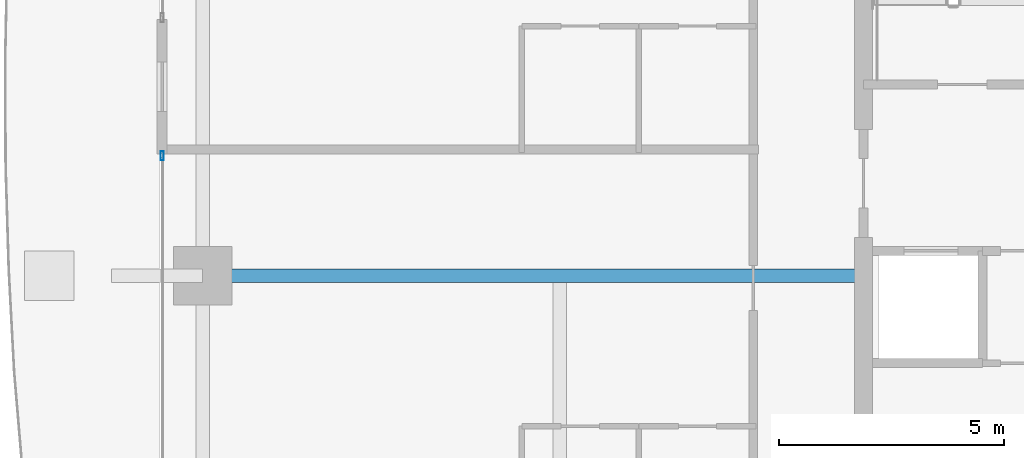
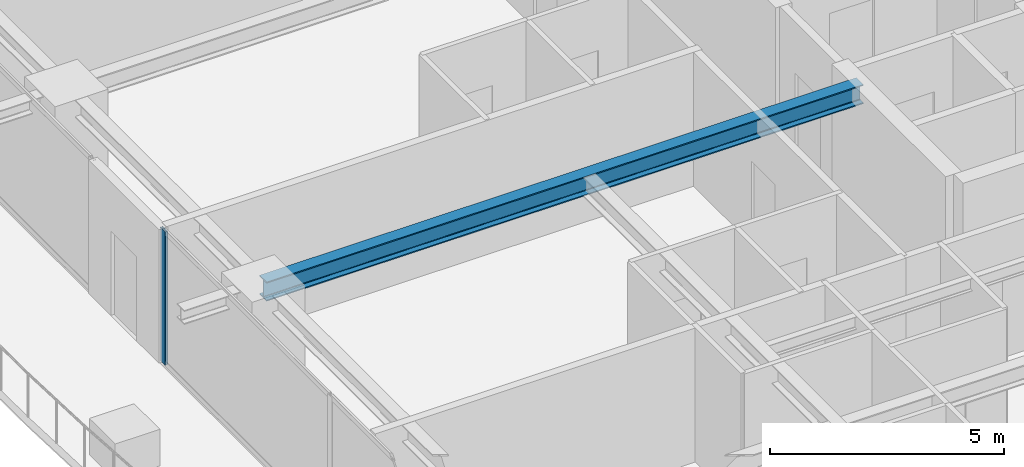
# One storey, part 8 of 35: 1 beam, 1 member, 1 element without a shape of its own.
"""IFC4 building model written with IfcOpenShell, lengths in metres."""

from ifc_helpers import new_model, si_unit, direction, frame, origin, origin_2d, place, context, subcontext, project, spatial, hollow_rectangle, i_section, extrude, source, transform, mapped, material, layer, layer_set, material_profile, profile_set, type_object, element, aggregate, save


model = new_model("IFC4")

# Units and contexts
model_context = context("Model", 3, precision=1e-05, world=origin(), true_north=direction((0.0, 1.0)))
body_context = subcontext(model_context, "Body", "Model", "MODEL_VIEW")
ifc_project = project(units=[si_unit("LENGTHUNIT", "METRE"), si_unit("AREAUNIT", "SQUARE_METRE"), si_unit("VOLUMEUNIT", "CUBIC_METRE"), si_unit("PLANEANGLEUNIT", "RADIAN"), si_unit("MASSUNIT", "GRAM", prefix="KILO")], contexts=[model_context])

# Site, building, storey
site_placement = place(None, origin())
site = spatial("IfcSite", under=ifc_project, at=site_placement, CompositionType="ELEMENT")
building_placement = place(site_placement, origin())
building = spatial("IfcBuilding", under=site, at=building_placement, Name="Serunith Strait Residences", CompositionType="ELEMENT")
storey_placement = place(building_placement, frame((0.0, 0.0, 172.64990234375)))
storey = spatial("IfcBuildingStorey", under=building, at=storey_placement, Name="L43", CompositionType="ELEMENT", Elevation=172.64990234375)

# Beam
ifc_material_1 = material(Name="Steel S355J2", Category="steel")
ifc_material_profile_1 = material_profile(ifc_material_1, i_section(OverallWidth=0.300048828125, OverallDepth=0.5, WebThickness=0.014404296875, FlangeThickness=0.028076171875, FilletRadius=0.027099609375, at=origin_2d()), Name="HEB 500")
ifc_profile_set_1 = profile_set([ifc_material_profile_1], Name="Steel S355J2")
beam_type = type_object("IfcBeamType", Name="BM-HEB500", PredefinedType="BEAM", material=ifc_profile_set_1)
shared_shape_1 = source(origin(), body_context, "Body", "SweptSolid", [
    extrude(i_section(OverallWidth=0.300048828125, OverallDepth=0.5, WebThickness=0.014404296875, FlangeThickness=0.028076171875, FilletRadius=0.027099609375, at=origin_2d()), origin(), (0.0, 0.0, 1.0), 14.699951171875),
])
beam_placement = place(storey_placement, frame((23.39990234375, 21.0, 3.237060546875), z_axis=(-1.0, 0.0, 0.0), x_axis=(0.0, -1.0, 0.0)))
element("IfcBeam", 1, at=beam_placement, inside=storey, type_object=beam_type, Name="L43 Primary Floor Girder TC-W2", PredefinedType="BEAM", context=body_context, shape_type="MappedRepresentation", body=[
    mapped(shared_shape_1, transform((0.0, 0.0, 0.0), scale=1.0)),
])

# Curtain wall, member
ifc_material_2 = material(Name="Pale-Champagne Anodised Aluminium", Category="aluminium")
ifc_layer = layer(ifc_material_2, 0.199951171875, Name="Pale-Champagne Anodised Aluminium")
ifc_layer_set = layer_set([ifc_layer], Name="Pale-Champagne Anodised Aluminium")
curtain_wall_type = type_object("IfcCurtainWallType", Name="CW-SYS2", PredefinedType="NOTDEFINED", material=ifc_layer_set)
curtain_wall_placement = place(storey_placement, origin())
curtain_wall = element("IfcCurtainWall", 2, at=curtain_wall_placement, inside=storey, type_object=curtain_wall_type, Name="L43 W Unitised Fritted Curtain Wall", PredefinedType="NOTDEFINED")
ifc_material_profile_2 = material_profile(ifc_material_2, hollow_rectangle(XDim=0.070068359375, YDim=0.199951171875, WallThickness=0.00390625, InnerFilletRadius=0.006103515625, OuterFilletRadius=0.010009765625, at=origin_2d()), Name="ALU 200x70x4")
ifc_profile_set_2 = profile_set([ifc_material_profile_2], Name="Pale-Champagne Anodised Aluminium")
member_type = type_object("IfcMemberType", Name="CW-SYS2-MULL", PredefinedType="MULLION", material=ifc_profile_set_2)
shared_shape_2 = source(origin(), body_context, "Body", "SweptSolid", [
    extrude(hollow_rectangle(XDim=0.070068359375, YDim=0.199951171875, WallThickness=0.00390625, InnerFilletRadius=0.006103515625, OuterFilletRadius=0.010009765625, at=origin_2d()), origin(), (0.0, 0.0, 1.0), 3.47509765625),
])
member_placement = place(storey_placement, frame((7.800048828125, 23.6650390625, 0.0), z_axis=(0.0, 0.0, 1.0), x_axis=(1.0, 0.0, 0.0)))
member = element("IfcMember", 3, at=member_placement, type_object=member_type, Name="CW-2 mullion 1", PredefinedType="MULLION", context=body_context, shape_type="MappedRepresentation", body=[
    mapped(shared_shape_2, transform((0.0, 0.0, 0.0), scale=1.0)),
])
aggregate(curtain_wall, [member])

save(model, "model.ifc")
